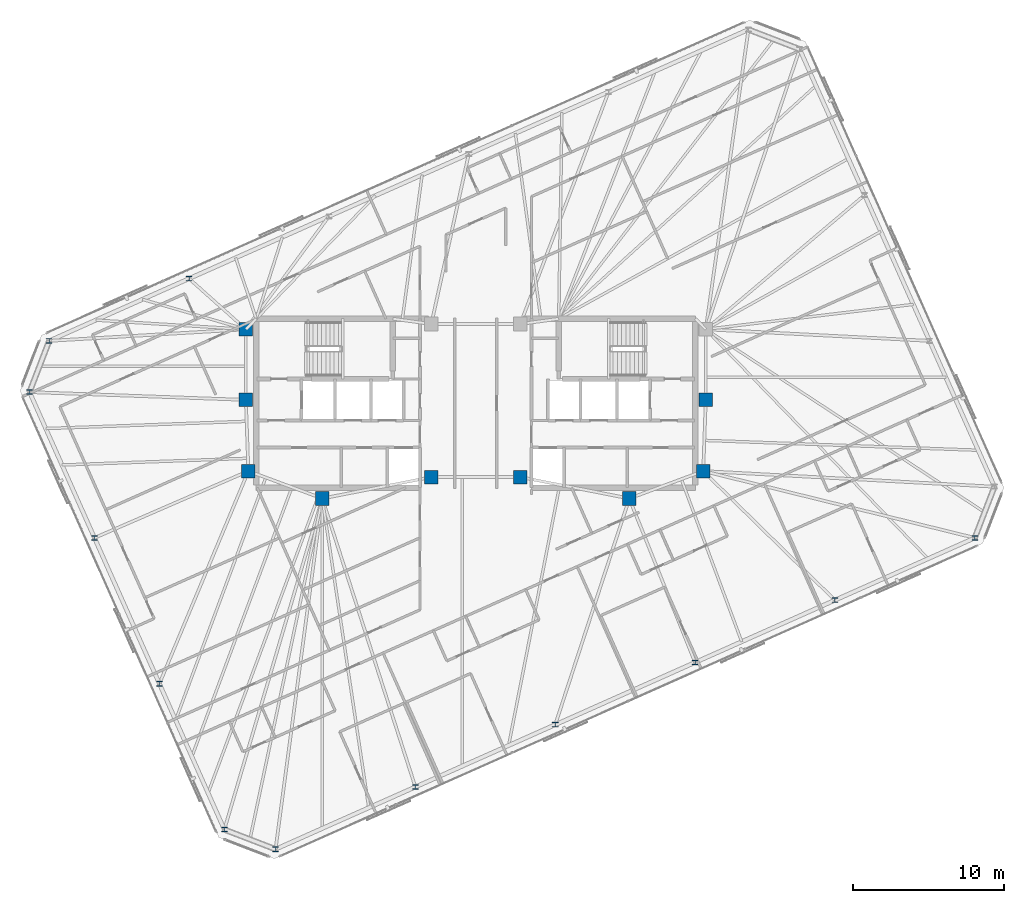
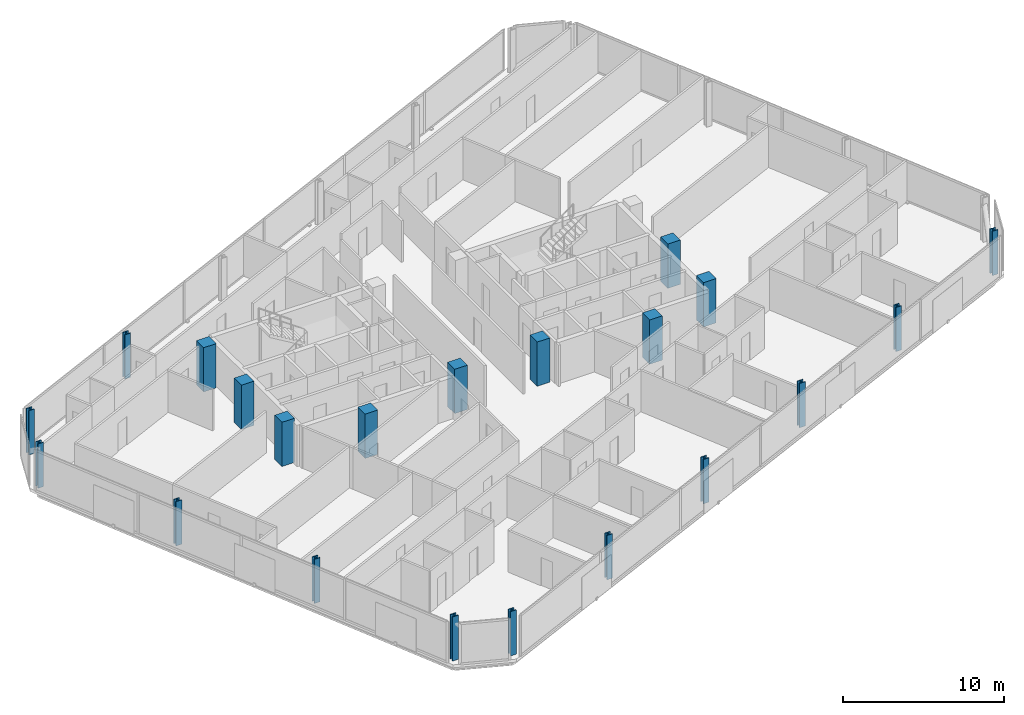
# One storey, part 1 of 19: 21 columns.
"""IFC4 building model written with IfcOpenShell, lengths in metres."""

from ifc_helpers import new_model, si_unit, direction, frame, origin, origin_2d, place, context, subcontext, project, spatial, rectangle, i_section, extrude, material, material_profile, profile_set, type_object, element, save


model = new_model("IFC4")

# Units and contexts
model_context = context("Model", 3, precision=1e-05, world=origin(), true_north=direction((0.0, 1.0)))
body_context = subcontext(model_context, "Body", "Model", "MODEL_VIEW")
ifc_project = project(units=[si_unit("LENGTHUNIT", "METRE"), si_unit("AREAUNIT", "SQUARE_METRE"), si_unit("VOLUMEUNIT", "CUBIC_METRE"), si_unit("PLANEANGLEUNIT", "RADIAN"), si_unit("MASSUNIT", "GRAM", prefix="KILO")], contexts=[model_context])

# Site, building, storey
site_placement = place(None, origin())
site = spatial("IfcSite", under=ifc_project, at=site_placement, CompositionType="ELEMENT")
building_placement = place(site_placement, origin())
building = spatial("IfcBuilding", under=site, at=building_placement, Name="Menara Jurai Vektor", CompositionType="ELEMENT")
storey_placement = place(building_placement, frame((0.0, 0.0, 295.300048828125)))
storey = spatial("IfcBuildingStorey", under=building, at=storey_placement, Name="L79", CompositionType="ELEMENT", Elevation=295.300048828125)

# Columns
ifc_material_1 = material(Name="Concrete C50/60", Category="concrete")
ifc_material_profile_1 = material_profile(ifc_material_1, rectangle(XDim=0.89990234375, YDim=0.89990234375, at=origin_2d()), Name="RC 900x900")
ifc_profile_set_1 = profile_set([ifc_material_profile_1], Name="Concrete C50/60")
column_type_1 = type_object("IfcColumnType", Name="STR-COL-RC900", PredefinedType="COLUMN", material=ifc_profile_set_1)
for number, where, z_axis, x_axis, name in (
    (1, (-15.25, 4.89990234375, 0.0), (0.0, 0.0, 1.0), (1.0, 0.0, 0.0), "Core Spine Column CW-NW L79"),
    (2, (-15.25, 0.219970703125, 0.0), (0.0, 0.0, 1.0), (1.0, 0.0, 0.0), "Core Spine Column CW-WM L79"),
    (3, (-15.080078125, -4.5, 0.0), (0.0, 0.0, 1.0), (1.0, 0.0, 0.0), "Core Spine Column CW-SW L79"),
    (4, (-10.179931640625, -6.320068359375, 0.0), (0.0, 0.0, 1.0), (1.0, 0.0, 0.0), "Core Spine Column CW-SM L79"),
    (5, (-2.949951171875, -4.89990234375, 0.0), (0.0, 0.0, 1.0), (1.0, 0.0, 0.0), "Core Spine Column CW-SE L79"),
    (6, (15.25, 0.219970703125, 0.0), (0.0, 0.0, 1.0), (1.0, 0.0, 0.0), "Core Spine Column CE-EM L79"),
    (7, (15.080078125, -4.5, 0.0), (0.0, 0.0, 1.0), (1.0, 0.0, 0.0), "Core Spine Column CE-SE L79"),
    (8, (10.179931640625, -6.320068359375, 0.0), (0.0, 0.0, 1.0), (1.0, 0.0, 0.0), "Core Spine Column CE-SM L79"),
    (9, (2.949951171875, -4.89990234375, 0.0), (0.0, 0.0, 1.0), (1.0, 0.0, 0.0), "Core Spine Column CE-SW L79"),
):
    element("IfcColumn", number, at=place(storey_placement, frame(where, z_axis=z_axis, x_axis=x_axis)), inside=storey, type_object=column_type_1, Name=name, PredefinedType="COLUMN", context=body_context, shape_type="SweptSolid", body=[
        extrude(rectangle(XDim=0.89990234375, YDim=0.89990234375, at=origin_2d()), origin(), (0.0, 0.0, 1.0), 3.349853515625),
    ])
ifc_material_2 = material(Name="Steel S460", Category="steel")
ifc_material_profile_2 = material_profile(ifc_material_2, i_section(OverallWidth=0.40087890625, OverallDepth=0.3349609375, WebThickness=0.035888671875, FlangeThickness=0.05810546875, FilletRadius=0.014892578125, at=origin_2d()), Name="HD 400x463")
ifc_profile_set_2 = profile_set([ifc_material_profile_2], Name="Steel S460")
column_type_2 = type_object("IfcColumnType", Name="STR-EXO-BLK5", PredefinedType="COLUMN", material=ifc_profile_set_2)
for number, where, z_axis, x_axis, name in (
    (10, (-13.279541015625, -29.576904296875, 0.0), (0.0, 0.0, 1.0), (1.0, 0.0, 0.0), "Exoskeleton Column BLK5-S1 L79"),
    (11, (-4.006103515625, -25.4482421875, 0.0), (0.0, 0.0, 1.0), (1.0, 0.0, 0.0), "Exoskeleton Column BLK5-S2 L79"),
    (12, (5.267578125, -21.3193359375, 0.0), (0.0, 0.0, 1.0), (1.0, 0.0, 0.0), "Exoskeleton Column BLK5-S3 L79"),
    (13, (14.541015625, -17.1904296875, 0.0), (0.0, 0.0, 1.0), (1.0, 0.0, 0.0), "Exoskeleton Column BLK5-S4 L79"),
    (14, (23.814453125, -13.061767578125, 0.0), (0.0, 0.0, 1.0), (1.0, 0.0, 0.0), "Exoskeleton Column BLK5-S5 L79"),
    (15, (33.088134765625, -8.932861328125, 0.0), (0.0, 0.0, 1.0), (1.0, 0.0, 0.0), "Exoskeleton Column BLK5-S6 L79"),
    (16, (-19.0146484375, 8.26171875, 0.0), (0.0, 0.0, 1.0), (1.0, 0.0, 0.0), "Exoskeleton Column BLK5-N5 L79"),
    (17, (-28.2880859375, 4.1328125, 0.0), (0.0, 0.0, 1.0), (1.0, 0.0, 0.0), "Exoskeleton Column BLK5-N6 L79"),
    (18, (-29.591796875, 0.73681640625, 0.0), (0.0, 0.0, 1.0), (1.0, 0.0, 0.0), "Exoskeleton Column BLK5-W1 L79"),
    (19, (-25.286376953125, -8.933349609375, 0.0), (0.0, 0.0, 1.0), (1.0, 0.0, 0.0), "Exoskeleton Column BLK5-W2 L79"),
    (20, (-20.98095703125, -18.603271484375, 0.0), (0.0, 0.0, 1.0), (1.0, 0.0, 0.0), "Exoskeleton Column BLK5-W3 L79"),
    (21, (-16.675537109375, -28.2734375, 0.0), (0.0, 0.0, 1.0), (1.0, 0.0, 0.0), "Exoskeleton Column BLK5-W4 L79"),
):
    element("IfcColumn", number, at=place(storey_placement, frame(where, z_axis=z_axis, x_axis=x_axis)), inside=storey, type_object=column_type_2, Name=name, PredefinedType="COLUMN", context=body_context, shape_type="SweptSolid", body=[
        extrude(i_section(OverallWidth=0.40087890625, OverallDepth=0.3349609375, WebThickness=0.035888671875, FlangeThickness=0.05810546875, FilletRadius=0.014892578125, at=origin_2d()), origin(), (0.0, 0.0, 1.0), 3.349853515625),
    ])

save(model, "model.ifc")
